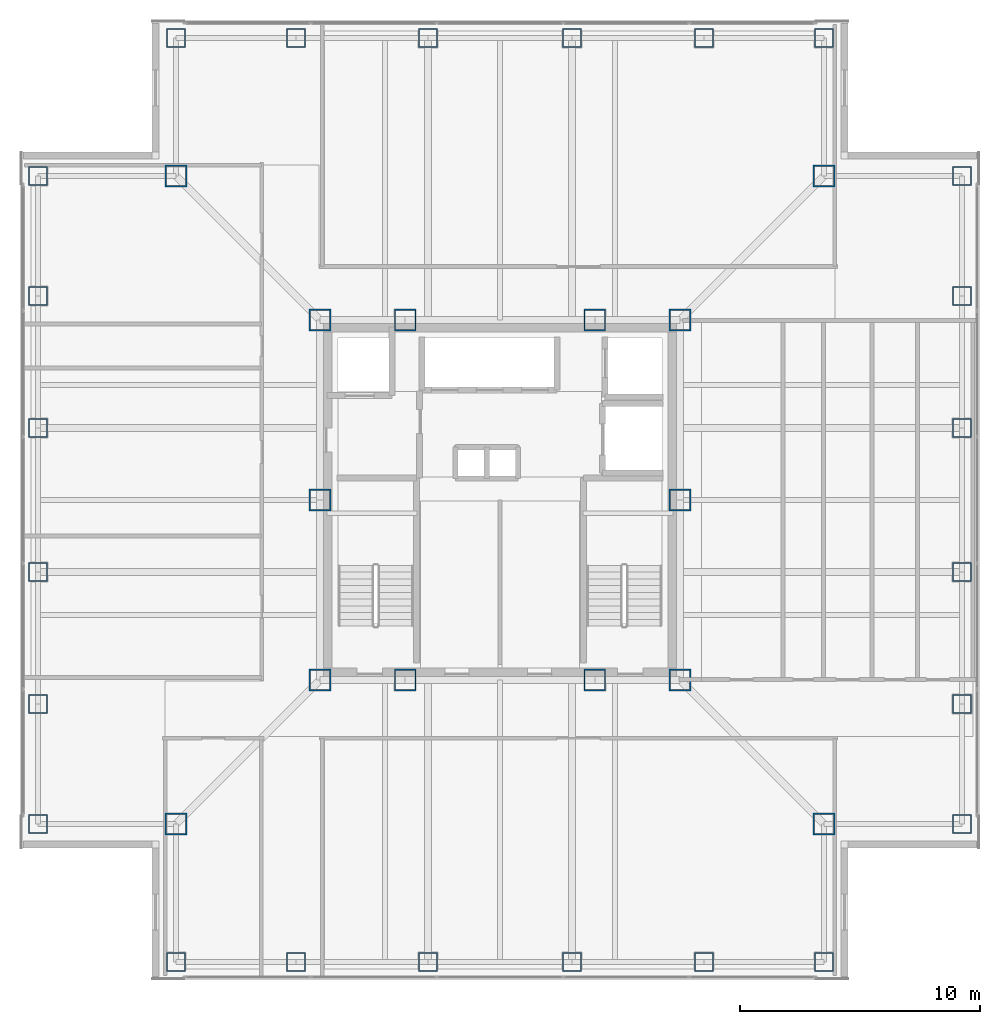
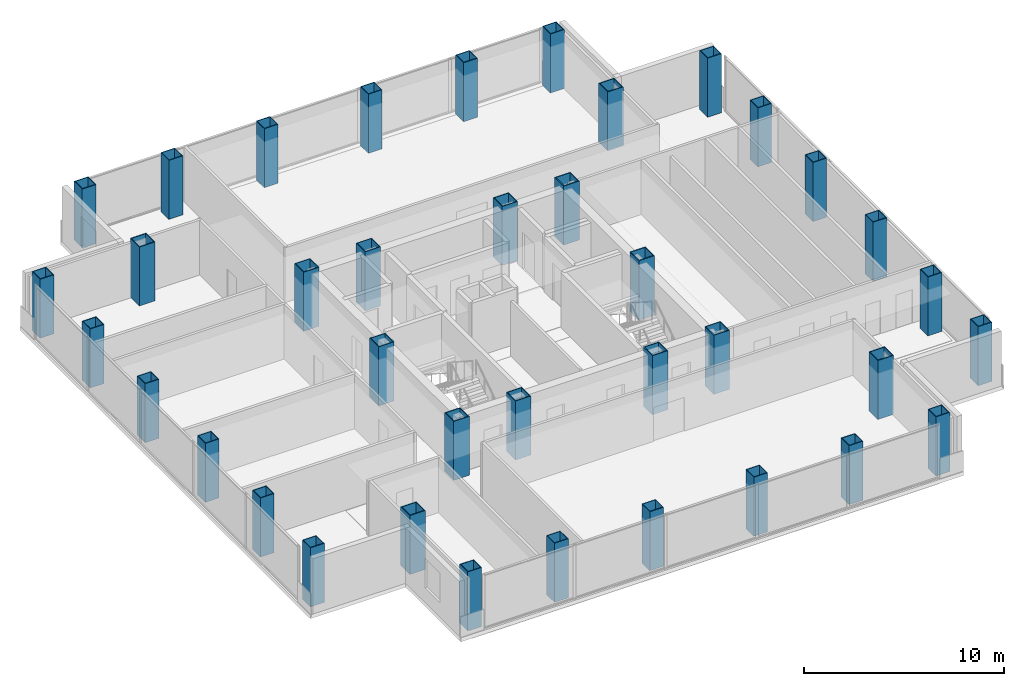
# One storey, part 1 of 17: 38 columns.
"""IFC4 building model written with IfcOpenShell, lengths in metres."""

from ifc_helpers import new_model, si_unit, direction, frame, origin, origin_2d, place, context, subcontext, project, spatial, hollow_rectangle, extrude, material, material_profile, profile_set, type_object, element, save


model = new_model("IFC4")

# Units and contexts
model_context = context("Model", 3, precision=1e-05, world=origin(), true_north=direction((0.0, 1.0)))
body_context = subcontext(model_context, "Body", "Model", "MODEL_VIEW")
ifc_project = project(units=[si_unit("LENGTHUNIT", "METRE"), si_unit("AREAUNIT", "SQUARE_METRE"), si_unit("VOLUMEUNIT", "CUBIC_METRE"), si_unit("PLANEANGLEUNIT", "RADIAN"), si_unit("MASSUNIT", "GRAM", prefix="KILO")], contexts=[model_context])

# Site, building, storey
site_placement = place(None, origin())
site = spatial("IfcSite", under=ifc_project, at=site_placement, CompositionType="ELEMENT")
building_placement = place(site_placement, origin())
building = spatial("IfcBuilding", under=site, at=building_placement, Name="Trevonay Congress Spire", CompositionType="ELEMENT")
storey_placement = place(building_placement, frame((0.0, 0.0, 209.39990234375)))
storey = spatial("IfcBuildingStorey", under=building, at=storey_placement, Name="L54", CompositionType="ELEMENT", Elevation=209.39990234375)

# Columns
ifc_material = material(Name="Steel ASTM A572 Grade 50", Category="steel")
ifc_material_profile_1 = material_profile(ifc_material, hollow_rectangle(XDim=0.89990234375, YDim=0.89990234375, WallThickness=0.044921875, at=origin_2d()), Name="BOX 900x900x45")
ifc_profile_set_1 = profile_set([ifc_material_profile_1], Name="Steel ASTM A572 Grade 50")
column_type_1 = type_object("IfcColumnType", Name="COL-CORE-BOX900", PredefinedType="COLUMN", material=ifc_profile_set_1)
for number, where, z_axis, x_axis, name in (
    (1, (-7.5, -7.5, 0.0), (0.0, 0.0, 1.0), (1.0, 0.0, 0.0), "L54 column C04 at CC-SW"),
    (2, (-3.949951171875, -7.5, 0.0), (0.0, 0.0, 1.0), (1.0, 0.0, 0.0), "L54 column C04 at CC-SMW"),
    (3, (3.949951171875, -7.5, 0.0), (0.0, 0.0, 1.0), (1.0, 0.0, 0.0), "L54 column C04 at CC-SME"),
    (4, (7.5, -7.5, 0.0), (0.0, 0.0, 1.0), (1.0, 0.0, 0.0), "L54 column C04 at CC-SE"),
    (5, (7.5, 0.0, 0.0), (0.0, 0.0, 1.0), (1.0, 0.0, 0.0), "L54 column C04 at CC-E"),
    (6, (7.5, 7.5, 0.0), (0.0, 0.0, 1.0), (1.0, 0.0, 0.0), "L54 column C04 at CC-NE"),
    (7, (3.949951171875, 7.5, 0.0), (0.0, 0.0, 1.0), (1.0, 0.0, 0.0), "L54 column C04 at CC-NME"),
    (8, (-3.949951171875, 7.5, 0.0), (0.0, 0.0, 1.0), (1.0, 0.0, 0.0), "L54 column C04 at CC-NMW"),
    (9, (-7.5, 7.5, 0.0), (0.0, 0.0, 1.0), (1.0, 0.0, 0.0), "L54 column C04 at CC-NW"),
    (10, (-7.5, 0.0, 0.0), (0.0, 0.0, 1.0), (1.0, 0.0, 0.0), "L54 column C04 at CC-W"),
):
    element("IfcColumn", number, at=place(storey_placement, frame(where, z_axis=z_axis, x_axis=x_axis)), inside=storey, type_object=column_type_1, Name=name, PredefinedType="COLUMN", context=body_context, shape_type="SweptSolid", body=[
        extrude(hollow_rectangle(XDim=0.89990234375, YDim=0.89990234375, WallThickness=0.044921875, at=origin_2d()), origin(), (0.0, 0.0, 1.0), 3.60009765625),
    ])
ifc_material_profile_2 = material_profile(ifc_material, hollow_rectangle(XDim=0.800048828125, YDim=0.800048828125, WallThickness=0.0400390625, at=origin_2d()), Name="BOX 800x800x40")
ifc_profile_set_2 = profile_set([ifc_material_profile_2], Name="Steel ASTM A572 Grade 50")
column_type_2 = type_object("IfcColumnType", Name="COL-TUBE-BOX800", PredefinedType="COLUMN", material=ifc_profile_set_2)
for number, where, z_axis, x_axis, name in (
    (11, (-13.5, -19.25, 0.0), (0.0, 0.0, 1.0), (1.0, 0.0, 0.0), "L54 column C16 at TS-1"),
    (12, (-13.5, 19.25, 0.0), (0.0, 0.0, 1.0), (1.0, 0.0, 0.0), "L54 column C16 at TN-1"),
    (13, (-19.25, -13.5, 0.0), (0.0, 0.0, 1.0), (1.0, 0.0, 0.0), "L54 column C16 at TW-1"),
    (14, (19.25, -13.5, 0.0), (0.0, 0.0, 1.0), (1.0, 0.0, 0.0), "L54 column C16 at TE-1"),
    (15, (-8.5, -19.25, 0.0), (0.0, 0.0, 1.0), (1.0, 0.0, 0.0), "L54 column C16 at TS-2"),
    (16, (-8.5, 19.25, 0.0), (0.0, 0.0, 1.0), (1.0, 0.0, 0.0), "L54 column C16 at TN-2"),
    (17, (-19.25, -8.5, 0.0), (0.0, 0.0, 1.0), (1.0, 0.0, 0.0), "L54 column C16 at TW-2"),
    (18, (19.25, -8.5, 0.0), (0.0, 0.0, 1.0), (1.0, 0.0, 0.0), "L54 column C16 at TE-2"),
    (19, (-3.0, -19.25, 0.0), (0.0, 0.0, 1.0), (1.0, 0.0, 0.0), "L54 column C16 at TS-3"),
    (20, (-3.0, 19.25, 0.0), (0.0, 0.0, 1.0), (1.0, 0.0, 0.0), "L54 column C16 at TN-3"),
    (21, (-19.25, -3.0, 0.0), (0.0, 0.0, 1.0), (1.0, 0.0, 0.0), "L54 column C16 at TW-3"),
    (22, (19.25, -3.0, 0.0), (0.0, 0.0, 1.0), (1.0, 0.0, 0.0), "L54 column C16 at TE-3"),
    (23, (3.0, -19.25, 0.0), (0.0, 0.0, 1.0), (1.0, 0.0, 0.0), "L54 column C16 at TS-4"),
    (24, (3.0, 19.25, 0.0), (0.0, 0.0, 1.0), (1.0, 0.0, 0.0), "L54 column C16 at TN-4"),
    (25, (-19.25, 3.0, 0.0), (0.0, 0.0, 1.0), (1.0, 0.0, 0.0), "L54 column C16 at TW-4"),
    (26, (19.25, 3.0, 0.0), (0.0, 0.0, 1.0), (1.0, 0.0, 0.0), "L54 column C16 at TE-4"),
    (27, (8.5, -19.25, 0.0), (0.0, 0.0, 1.0), (1.0, 0.0, 0.0), "L54 column C16 at TS-5"),
    (28, (8.5, 19.25, 0.0), (0.0, 0.0, 1.0), (1.0, 0.0, 0.0), "L54 column C16 at TN-5"),
    (29, (-19.25, 8.5, 0.0), (0.0, 0.0, 1.0), (1.0, 0.0, 0.0), "L54 column C16 at TW-5"),
    (30, (19.25, 8.5, 0.0), (0.0, 0.0, 1.0), (1.0, 0.0, 0.0), "L54 column C16 at TE-5"),
    (31, (13.5, -19.25, 0.0), (0.0, 0.0, 1.0), (1.0, 0.0, 0.0), "L54 column C16 at TS-6"),
    (32, (13.5, 19.25, 0.0), (0.0, 0.0, 1.0), (1.0, 0.0, 0.0), "L54 column C16 at TN-6"),
    (33, (-19.25, 13.5, 0.0), (0.0, 0.0, 1.0), (1.0, 0.0, 0.0), "L54 column C16 at TW-6"),
    (34, (19.25, 13.5, 0.0), (0.0, 0.0, 1.0), (1.0, 0.0, 0.0), "L54 column C16 at TE-6"),
):
    element("IfcColumn", number, at=place(storey_placement, frame(where, z_axis=z_axis, x_axis=x_axis)), inside=storey, type_object=column_type_2, Name=name, PredefinedType="COLUMN", context=body_context, shape_type="SweptSolid", body=[
        extrude(hollow_rectangle(XDim=0.800048828125, YDim=0.800048828125, WallThickness=0.0400390625, at=origin_2d()), origin(), (0.0, 0.0, 1.0), 3.60009765625),
    ])
ifc_material_profile_3 = material_profile(ifc_material, hollow_rectangle(XDim=0.89990234375, YDim=0.89990234375, WallThickness=0.044921875, at=origin_2d()), Name="BOX 900x900x45")
ifc_profile_set_3 = profile_set([ifc_material_profile_3], Name="Steel ASTM A572 Grade 50")
column_type_3 = type_object("IfcColumnType", Name="COL-TUBE-BOX900", PredefinedType="COLUMN", material=ifc_profile_set_3)
for number, where, z_axis, x_axis, name in (
    (35, (-13.5, -13.5, 0.0), (0.0, 0.0, 1.0), (1.0, 0.0, 0.0), "L54 column C15 at NC-SW"),
    (36, (13.5, -13.5, 0.0), (0.0, 0.0, 1.0), (1.0, 0.0, 0.0), "L54 column C15 at NC-SE"),
    (37, (13.5, 13.5, 0.0), (0.0, 0.0, 1.0), (1.0, 0.0, 0.0), "L54 column C15 at NC-NE"),
    (38, (-13.5, 13.5, 0.0), (0.0, 0.0, 1.0), (1.0, 0.0, 0.0), "L54 column C15 at NC-NW"),
):
    element("IfcColumn", number, at=place(storey_placement, frame(where, z_axis=z_axis, x_axis=x_axis)), inside=storey, type_object=column_type_3, Name=name, PredefinedType="COLUMN", context=body_context, shape_type="SweptSolid", body=[
        extrude(hollow_rectangle(XDim=0.89990234375, YDim=0.89990234375, WallThickness=0.044921875, at=origin_2d()), origin(), (0.0, 0.0, 1.0), 3.60009765625),
    ])

save(model, "model.ifc")
